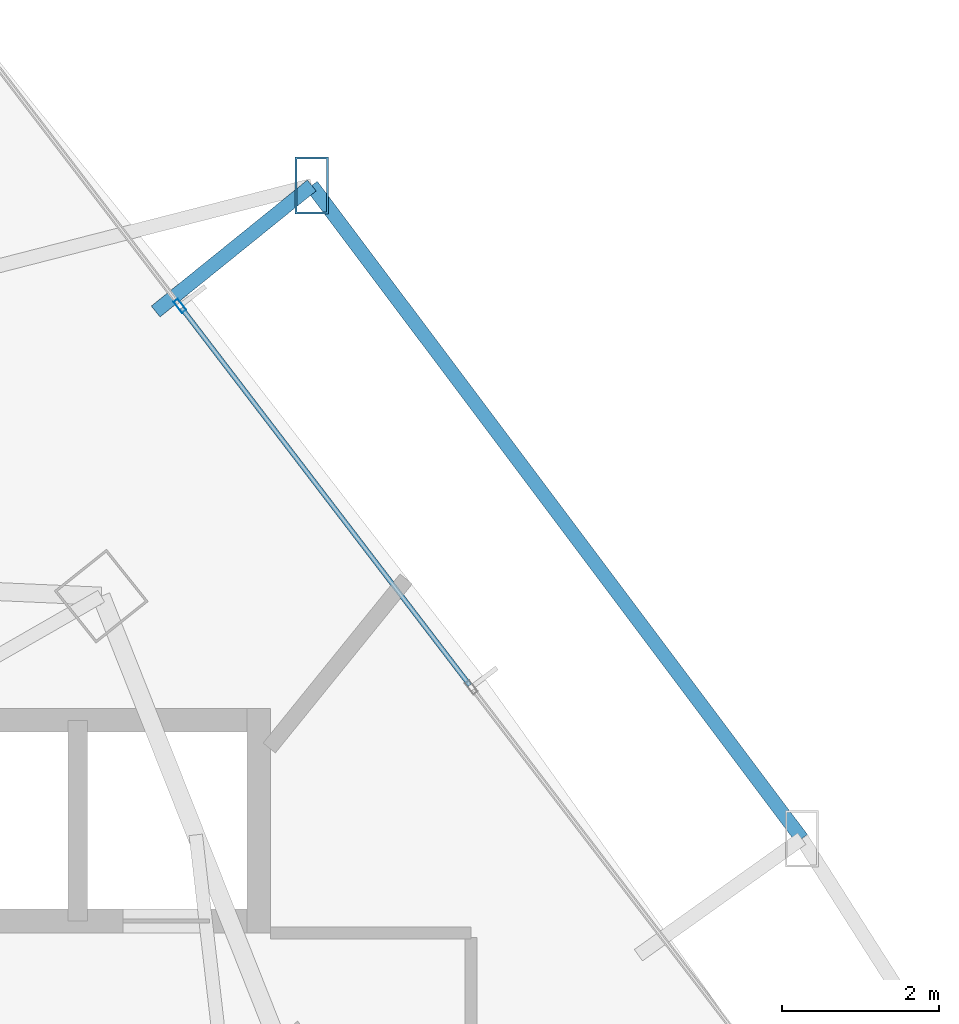
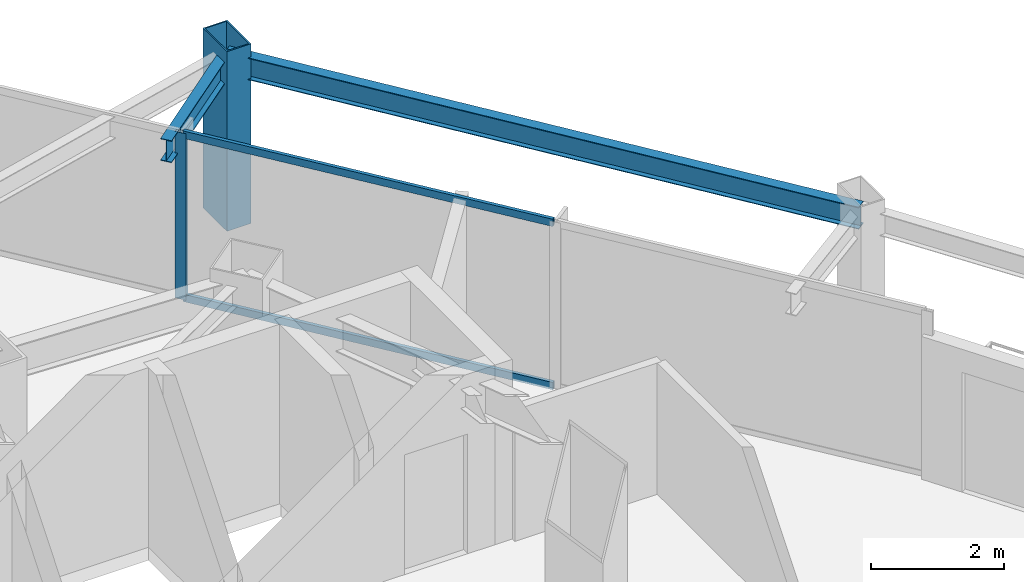
# One storey, part 27 of 33: 4 members, 2 beams, 1 element without a shape of its own.
"""IFC4 building model written with IfcOpenShell, lengths in metres."""

from ifc_helpers import new_model, si_unit, direction, frame, origin, origin_2d, place, context, subcontext, project, spatial, hollow_rectangle, i_section, extrude, material, layer, layer_set, material_profile, profile_set, type_object, element, aggregate, save


model = new_model("IFC4")

# Units and contexts
model_context = context("Model", 3, precision=1e-05, world=origin(), true_north=direction((0.0, 1.0)))
body_context = subcontext(model_context, "Body", "Model", "MODEL_VIEW")
ifc_project = project(units=[si_unit("LENGTHUNIT", "METRE"), si_unit("AREAUNIT", "SQUARE_METRE"), si_unit("VOLUMEUNIT", "CUBIC_METRE"), si_unit("PLANEANGLEUNIT", "RADIAN"), si_unit("MASSUNIT", "GRAM", prefix="KILO")], contexts=[model_context])

# Site, building, storey
site_placement = place(None, origin())
site = spatial("IfcSite", under=ifc_project, at=site_placement, CompositionType="ELEMENT")
building_placement = place(site_placement, origin())
building = spatial("IfcBuilding", under=site, at=building_placement, Name="Orvanel Arch Residences", CompositionType="ELEMENT")
storey_placement = place(building_placement, frame((0.0, 0.0, 84.050048828125)))
storey = spatial("IfcBuildingStorey", under=building, at=storey_placement, Name="L23", CompositionType="ELEMENT", Elevation=84.050048828125)

# Member
ifc_material_1 = material(Name="Structural steel AS/NZS 3678 Grade 350", Category="steel")
ifc_material_profile_1 = material_profile(ifc_material_1, hollow_rectangle(XDim=0.419921875, YDim=0.719970703125, WallThickness=0.02490234375, at=origin_2d()), Name="RHS720x420x25")
ifc_profile_set_1 = profile_set([ifc_material_profile_1], Name="Structural steel AS/NZS 3678 Grade 350")
member_type_1 = type_object("IfcMemberType", Name="CH-720RHS-EXT", PredefinedType="CHORD", material=ifc_profile_set_1)
member_1_placement = place(storey_placement, frame((40.625, 46.39697265625, 0.0), z_axis=(0.0, 0.0, 1.0), x_axis=(1.0, 0.0, 0.0)))
element("IfcMember", 1, at=member_1_placement, inside=storey, type_object=member_type_1, Name="L23 Outer Perimeter Frame Post 12", PredefinedType="CHORD", context=body_context, shape_type="SweptSolid", body=[
    extrude(hollow_rectangle(XDim=0.419921875, YDim=0.719970703125, WallThickness=0.02490234375, at=origin_2d()), origin(), (0.0, 0.0, 1.0), 3.300048828125),
])

# Curtain wall, member
ifc_material_2 = material(Name="Bronze-anodised aluminium AA6063-T6", Category="aluminium")
ifc_layer = layer(ifc_material_2, 0.179931640625)
ifc_layer_set = layer_set([ifc_layer], Name="Bronze-anodised aluminium AA6063-T6")
curtain_wall_type = type_object("IfcCurtainWallType", Name="CW2-LOW-SYS", PredefinedType="NOTDEFINED", material=ifc_layer_set)
curtain_wall_placement = place(storey_placement, origin())
curtain_wall = element("IfcCurtainWall", 2, at=curtain_wall_placement, inside=storey, type_object=curtain_wall_type, Name="L23 CW2-LOW-SYS Unitised Curtain Wall", PredefinedType="NOTDEFINED")
ifc_material_profile_2 = material_profile(ifc_material_2, hollow_rectangle(XDim=0.070068359375, YDim=0.179931640625, WallThickness=0.00439453125, at=origin_2d()), Name="ALU180x70x4.5")
ifc_profile_set_2 = profile_set([ifc_material_profile_2], Name="Bronze-anodised aluminium AA6063-T6")
member_type_2 = type_object("IfcMemberType", Name="MUL-180x70", PredefinedType="MULLION", material=ifc_profile_set_2)
member_2_placement = place(storey_placement, frame((38.949951171875, 44.866943359375, 0.0), z_axis=(0.0, 0.0, 1.0), x_axis=(-0.794618292381, -0.607109355399, 0.0)))
member_2 = element("IfcMember", 3, at=member_2_placement, type_object=member_type_2, Name="CW-S2 mullion 3", PredefinedType="MULLION", context=body_context, shape_type="SweptSolid", body=[
    extrude(hollow_rectangle(XDim=0.070068359375, YDim=0.179931640625, WallThickness=0.00439453125, at=origin_2d()), origin(), (0.0, 0.0, 1.0), 3.06005859375),
])

# Beams
ifc_material_3 = material(Name="Structural steel AS/NZS 3679.1 Grade 300 (300 MPa)", Category="steel")
ifc_material_profile_3 = material_profile(ifc_material_3, i_section(OverallWidth=0.177978515625, OverallDepth=0.406005859375, WebThickness=0.0078125, FlangeThickness=0.0126953125, at=origin_2d()), Name="410UB59.7")
ifc_profile_set_3 = profile_set([ifc_material_profile_3], Name="Structural steel AS/NZS 3679.1 Grade 300 (300 MPa)")
beam_type = type_object("IfcBeamType", Name="OB-410UB-EXT", PredefinedType="SPANDREL", material=ifc_profile_set_3)
beam_1_placement = place(storey_placement, frame((46.85205078125, 38.096923828125, 2.85693359375), z_axis=(-0.60012422455, 0.799906816515, 0.0), x_axis=(-0.799906816515, -0.60012422455, 0.0)))
element("IfcBeam", 4, at=beam_1_placement, inside=storey, type_object=beam_type, Name="L23 Outer Perimeter Floor Ring Beam 11", PredefinedType="SPANDREL", context=body_context, shape_type="SweptSolid", body=[
    extrude(i_section(OverallWidth=0.177978515625, OverallDepth=0.406005859375, WebThickness=0.0078125, FlangeThickness=0.0126953125, at=origin_2d()), origin(), (0.0, 0.0, 1.0), 10.376220703125),
])
beam_2_placement = place(storey_placement, frame((38.64111328125, 44.794921875, 2.85693359375), z_axis=(0.778002376193, 0.628261333076, 0.0), x_axis=(-0.628261333076, 0.778002376193, 0.0)))
element("IfcBeam", 5, at=beam_2_placement, inside=storey, type_object=beam_type, Name="L23 Outer Frame Radial Tie Beam 12", PredefinedType="SPANDREL", context=body_context, shape_type="SweptSolid", body=[
    extrude(i_section(OverallWidth=0.177978515625, OverallDepth=0.406005859375, WebThickness=0.0078125, FlangeThickness=0.0126953125, at=origin_2d()), origin(), (0.0, 0.0, 1.0), 2.550048828125),
])

# Member
ifc_material_profile_4 = material_profile(ifc_material_2, hollow_rectangle(XDim=0.06005859375, YDim=0.135009765625, WallThickness=0.00390625, at=origin_2d()), Name="ALU135x60x4")
ifc_profile_set_4 = profile_set([ifc_material_profile_4], Name="Bronze-anodised aluminium AA6063-T6")
member_type_3 = type_object("IfcMemberType", Name="TRN-135x60", PredefinedType="USERDEFINED", material=ifc_profile_set_4)
member_3_placement = place(storey_placement, frame((42.6328125, 40.046875, 0.030029296875), z_axis=(-0.60713301748, 0.794600213369, 0.0), x_axis=(-0.794600213369, -0.60713301748, 0.0)))
member_3 = element("IfcMember", 6, at=member_3_placement, type_object=member_type_3, Name="CW-S2 transom 2.1", ObjectType="TRANSOM", PredefinedType="USERDEFINED", context=body_context, shape_type="SweptSolid", body=[
    extrude(hollow_rectangle(XDim=0.06005859375, YDim=0.135009765625, WallThickness=0.00390625, at=origin_2d()), origin(), (0.0, 0.0, 1.0), 6.031005859375),
])

member_4_placement = place(storey_placement, frame((42.6328125, 40.046875, 3.030029296875), z_axis=(-0.60713301748, 0.794600213369, 0.0), x_axis=(-0.794600213369, -0.60713301748, 0.0)))
member_4 = element("IfcMember", 7, at=member_4_placement, type_object=member_type_3, Name="CW-S2 transom 2.2", ObjectType="TRANSOM", PredefinedType="USERDEFINED", context=body_context, shape_type="SweptSolid", body=[
    extrude(hollow_rectangle(XDim=0.06005859375, YDim=0.135009765625, WallThickness=0.00390625, at=origin_2d()), origin(), (0.0, 0.0, 1.0), 6.031005859375),
])

aggregate(curtain_wall, [member_2, member_3, member_4])

save(model, "model.ifc")
